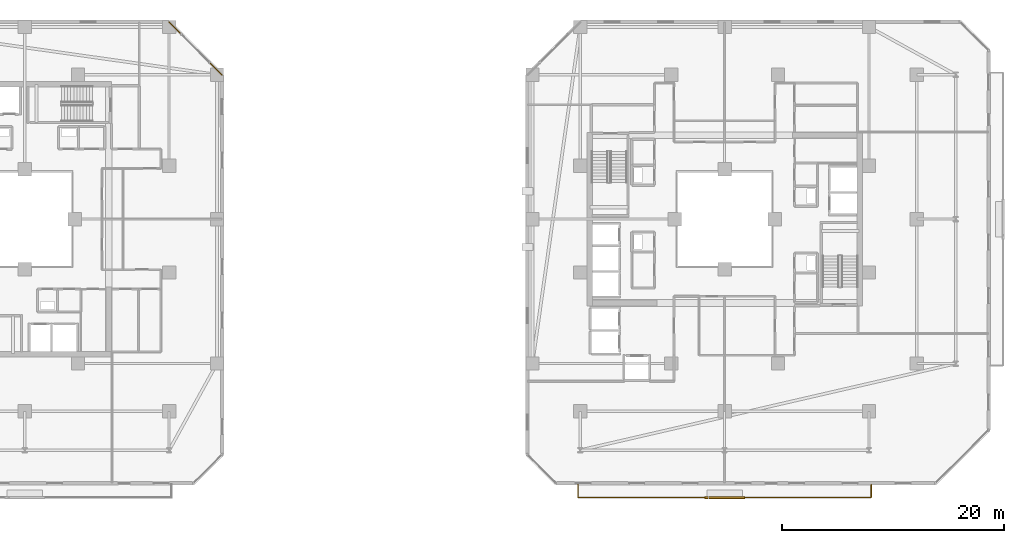
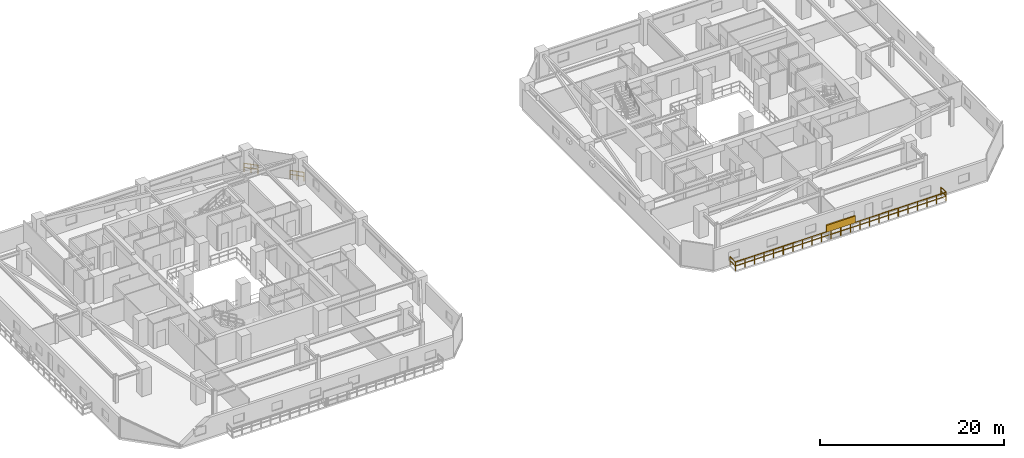
# One storey, part 32 of 34: 3 railings, 1 shading device.
"""IFC4 building model written with IfcOpenShell, lengths in metres."""

from ifc_helpers import new_model, si_unit, direction, frame, origin, origin_2d, place, context, subcontext, project, spatial, rectangle, extrude, material, type_object, element, save


model = new_model("IFC4")

# Units and contexts
model_context = context("Model", 3, precision=1e-05, world=origin(), true_north=direction((0.0, 1.0)))
body_context = subcontext(model_context, "Body", "Model", "MODEL_VIEW")
ifc_project = project(units=[si_unit("LENGTHUNIT", "METRE"), si_unit("AREAUNIT", "SQUARE_METRE"), si_unit("VOLUMEUNIT", "CUBIC_METRE"), si_unit("PLANEANGLEUNIT", "RADIAN"), si_unit("MASSUNIT", "GRAM", prefix="KILO")], contexts=[model_context])

# Site, building, storey
site_placement = place(None, origin())
site = spatial("IfcSite", under=ifc_project, at=site_placement, CompositionType="ELEMENT")
building_placement = place(site_placement, origin())
building = spatial("IfcBuilding", under=site, at=building_placement, Name="Thornwick Lancets Civic Towers", CompositionType="ELEMENT")
storey_placement = place(building_placement, frame((0.0, 0.0, 137.699951171875)))
storey = spatial("IfcBuildingStorey", under=building, at=storey_placement, Name="L36", CompositionType="ELEMENT", Elevation=137.699951171875)

# Railings
ifc_material_1 = material(Name="Terracotta-capped laminated glass balustrade S355", Category="masonry")
railing_type = type_object("IfcRailingType", Name="RAIL_TERR_GUARD", PredefinedType="GUARDRAIL", material=ifc_material_1)
for number, where, name in (
    (1, (43.25732421875, 39.97509765625, 0.0), "L36 Tower A Chamfer Spandrel Guard E3-1"),
    (2, (39.60009765625, 43.63232421875, 0.0), "L36 Tower A Chamfer Spandrel Guard E3-2"),
):
    element("IfcRailing", number, at=place(storey_placement, frame(where)), inside=storey, type_object=railing_type, Name=name, PredefinedType="GUARDRAIL", context=body_context, shape_type="SweptSolid", body=[
        extrude(rectangle(XDim=0.048095703125, YDim=0.048095703125, at=origin_2d()), frame((0.0, 0.0, 1.1259765625), z_axis=(-0.707106781187, 0.707106781187, 0.0), x_axis=(-0.707106781187, -0.707106781187, 0.0)), (0.0, 0.0, 1.0), 1.591064453125),
        extrude(rectangle(XDim=0.0419921875, YDim=0.0419921875, at=origin_2d()), frame((-0.026611328125, 0.026611328125, 0.597900390625), z_axis=(-0.707106781187, 0.707106781187, 0.0), x_axis=(-0.707106781187, -0.707106781187, 0.0)), (0.0, 0.0, 1.0), 0.720458984375),
        extrude(rectangle(XDim=0.0419921875, YDim=0.0419921875, at=origin_2d()), frame((-0.589111328125, 0.589111328125, 0.597900390625), z_axis=(-0.707106781187, 0.707106781187, 0.0), x_axis=(-0.707106781187, -0.707106781187, 0.0)), (0.0, 0.0, 1.0), 0.720458984375),
        extrude(rectangle(XDim=0.0419921875, YDim=0.0419921875, at=origin_2d()), origin(), (0.0, 0.0, 1.0), 1.095703125),
        extrude(rectangle(XDim=0.0419921875, YDim=0.0419921875, at=origin_2d()), frame((-0.5625, 0.5625, 0.0)), (0.0, 0.0, 1.0), 1.095703125),
        extrude(rectangle(XDim=0.0419921875, YDim=0.0419921875, at=origin_2d()), frame((-1.125, 1.125, 0.0)), (0.0, 0.0, 1.0), 1.095703125),
    ])
railing_placement = place(storey_placement, frame((75.300048828125, 3.10009765625, 0.0)))
element("IfcRailing", 3, at=railing_placement, inside=storey, type_object=railing_type, Name="L36 Tower B Balcony Guard S", PredefinedType="GUARDRAIL", context=body_context, shape_type="SweptSolid", body=[
    extrude(rectangle(XDim=0.048095703125, YDim=0.048095703125, at=origin_2d()), frame((0.0, 0.0, 1.1259765625), z_axis=(0.0, -1.0, 0.0), x_axis=(1.0, 0.0, 0.0)), (0.0, 0.0, 1.0), 1.138916015625),
    extrude(rectangle(XDim=0.0419921875, YDim=0.0419921875, at=origin_2d()), frame((0.0, -0.03759765625, 0.597900390625), z_axis=(0.0, -1.0, 0.0), x_axis=(1.0, 0.0, 0.0)), (0.0, 0.0, 1.0), 1.09521484375),
    extrude(rectangle(XDim=0.048095703125, YDim=0.048095703125, at=origin_2d()), frame((0.03125, -1.170166015625, 1.1259765625), z_axis=(1.0, 0.0, 0.0), x_axis=(0.0, 1.0, 0.0)), (0.0, 0.0, 1.0), 26.33740234375),
    extrude(rectangle(XDim=0.0419921875, YDim=0.0419921875, at=origin_2d()), frame((0.03759765625, -1.170166015625, 0.597900390625), z_axis=(1.0, 0.0, 0.0), x_axis=(0.0, 1.0, 0.0)), (0.0, 0.0, 1.0), 1.125),
    extrude(rectangle(XDim=0.0419921875, YDim=0.0419921875, at=origin_2d()), frame((1.237548828125, -1.170166015625, 0.597900390625), z_axis=(1.0, 0.0, 0.0), x_axis=(0.0, 1.0, 0.0)), (0.0, 0.0, 1.0), 1.125),
    extrude(rectangle(XDim=0.0419921875, YDim=0.0419921875, at=origin_2d()), frame((2.4375, -1.170166015625, 0.597900390625), z_axis=(1.0, 0.0, 0.0), x_axis=(0.0, 1.0, 0.0)), (0.0, 0.0, 1.0), 1.125),
    extrude(rectangle(XDim=0.0419921875, YDim=0.0419921875, at=origin_2d()), frame((3.637451171875, -1.170166015625, 0.597900390625), z_axis=(1.0, 0.0, 0.0), x_axis=(0.0, 1.0, 0.0)), (0.0, 0.0, 1.0), 1.125),
    extrude(rectangle(XDim=0.0419921875, YDim=0.0419921875, at=origin_2d()), frame((4.83740234375, -1.170166015625, 0.597900390625), z_axis=(1.0, 0.0, 0.0), x_axis=(0.0, 1.0, 0.0)), (0.0, 0.0, 1.0), 1.125),
    extrude(rectangle(XDim=0.0419921875, YDim=0.0419921875, at=origin_2d()), frame((6.037353515625, -1.170166015625, 0.597900390625), z_axis=(1.0, 0.0, 0.0), x_axis=(0.0, 1.0, 0.0)), (0.0, 0.0, 1.0), 1.125),
    extrude(rectangle(XDim=0.0419921875, YDim=0.0419921875, at=origin_2d()), frame((7.237548828125, -1.170166015625, 0.597900390625), z_axis=(1.0, 0.0, 0.0), x_axis=(0.0, 1.0, 0.0)), (0.0, 0.0, 1.0), 1.125),
    extrude(rectangle(XDim=0.0419921875, YDim=0.0419921875, at=origin_2d()), frame((8.4375, -1.170166015625, 0.597900390625), z_axis=(1.0, 0.0, 0.0), x_axis=(0.0, 1.0, 0.0)), (0.0, 0.0, 1.0), 1.125),
    extrude(rectangle(XDim=0.0419921875, YDim=0.0419921875, at=origin_2d()), frame((9.637451171875, -1.170166015625, 0.597900390625), z_axis=(1.0, 0.0, 0.0), x_axis=(0.0, 1.0, 0.0)), (0.0, 0.0, 1.0), 1.125),
    extrude(rectangle(XDim=0.0419921875, YDim=0.0419921875, at=origin_2d()), frame((10.83740234375, -1.170166015625, 0.597900390625), z_axis=(1.0, 0.0, 0.0), x_axis=(0.0, 1.0, 0.0)), (0.0, 0.0, 1.0), 1.125),
    extrude(rectangle(XDim=0.0419921875, YDim=0.0419921875, at=origin_2d()), frame((12.037353515625, -1.170166015625, 0.597900390625), z_axis=(1.0, 0.0, 0.0), x_axis=(0.0, 1.0, 0.0)), (0.0, 0.0, 1.0), 1.125),
    extrude(rectangle(XDim=0.0419921875, YDim=0.0419921875, at=origin_2d()), frame((13.237548828125, -1.170166015625, 0.597900390625), z_axis=(1.0, 0.0, 0.0), x_axis=(0.0, 1.0, 0.0)), (0.0, 0.0, 1.0), 1.125),
    extrude(rectangle(XDim=0.0419921875, YDim=0.0419921875, at=origin_2d()), frame((14.4375, -1.170166015625, 0.597900390625), z_axis=(1.0, 0.0, 0.0), x_axis=(0.0, 1.0, 0.0)), (0.0, 0.0, 1.0), 1.125),
    extrude(rectangle(XDim=0.0419921875, YDim=0.0419921875, at=origin_2d()), frame((15.637451171875, -1.170166015625, 0.597900390625), z_axis=(1.0, 0.0, 0.0), x_axis=(0.0, 1.0, 0.0)), (0.0, 0.0, 1.0), 1.125),
    extrude(rectangle(XDim=0.0419921875, YDim=0.0419921875, at=origin_2d()), frame((16.83740234375, -1.170166015625, 0.597900390625), z_axis=(1.0, 0.0, 0.0), x_axis=(0.0, 1.0, 0.0)), (0.0, 0.0, 1.0), 1.125),
    extrude(rectangle(XDim=0.0419921875, YDim=0.0419921875, at=origin_2d()), frame((18.037353515625, -1.170166015625, 0.597900390625), z_axis=(1.0, 0.0, 0.0), x_axis=(0.0, 1.0, 0.0)), (0.0, 0.0, 1.0), 1.125),
    extrude(rectangle(XDim=0.0419921875, YDim=0.0419921875, at=origin_2d()), frame((19.2373046875, -1.170166015625, 0.597900390625), z_axis=(1.0, 0.0, 0.0), x_axis=(0.0, 1.0, 0.0)), (0.0, 0.0, 1.0), 1.125),
    extrude(rectangle(XDim=0.0419921875, YDim=0.0419921875, at=origin_2d()), frame((20.4375, -1.170166015625, 0.597900390625), z_axis=(1.0, 0.0, 0.0), x_axis=(0.0, 1.0, 0.0)), (0.0, 0.0, 1.0), 1.125),
    extrude(rectangle(XDim=0.0419921875, YDim=0.0419921875, at=origin_2d()), frame((21.637451171875, -1.170166015625, 0.597900390625), z_axis=(1.0, 0.0, 0.0), x_axis=(0.0, 1.0, 0.0)), (0.0, 0.0, 1.0), 1.125),
    extrude(rectangle(XDim=0.0419921875, YDim=0.0419921875, at=origin_2d()), frame((22.83740234375, -1.170166015625, 0.597900390625), z_axis=(1.0, 0.0, 0.0), x_axis=(0.0, 1.0, 0.0)), (0.0, 0.0, 1.0), 1.125),
    extrude(rectangle(XDim=0.0419921875, YDim=0.0419921875, at=origin_2d()), frame((24.037353515625, -1.170166015625, 0.597900390625), z_axis=(1.0, 0.0, 0.0), x_axis=(0.0, 1.0, 0.0)), (0.0, 0.0, 1.0), 1.125),
    extrude(rectangle(XDim=0.0419921875, YDim=0.0419921875, at=origin_2d()), frame((25.2373046875, -1.170166015625, 0.597900390625), z_axis=(1.0, 0.0, 0.0), x_axis=(0.0, 1.0, 0.0)), (0.0, 0.0, 1.0), 1.125),
    extrude(rectangle(XDim=0.048095703125, YDim=0.048095703125, at=origin_2d()), frame((26.39990234375, -1.138916015625, 1.1259765625), z_axis=(0.0, 1.0, 0.0), x_axis=(-1.0, 0.0, 0.0)), (0.0, 0.0, 1.0), 1.138916015625),
    extrude(rectangle(XDim=0.0419921875, YDim=0.0419921875, at=origin_2d()), frame((26.39990234375, -1.132568359375, 0.597900390625), z_axis=(0.0, 1.0, 0.0), x_axis=(-1.0, 0.0, 0.0)), (0.0, 0.0, 1.0), 1.09521484375),
    extrude(rectangle(XDim=0.0419921875, YDim=0.0419921875, at=origin_2d()), origin(), (0.0, 0.0, 1.0), 1.095703125),
    extrude(rectangle(XDim=0.0419921875, YDim=0.0419921875, at=origin_2d()), frame((0.0, -1.170166015625, 0.0)), (0.0, 0.0, 1.0), 1.095703125),
    extrude(rectangle(XDim=0.0419921875, YDim=0.0419921875, at=origin_2d()), frame((1.199951171875, -1.170166015625, 0.0)), (0.0, 0.0, 1.0), 1.095703125),
    extrude(rectangle(XDim=0.0419921875, YDim=0.0419921875, at=origin_2d()), frame((2.39990234375, -1.170166015625, 0.0)), (0.0, 0.0, 1.0), 1.095703125),
    extrude(rectangle(XDim=0.0419921875, YDim=0.0419921875, at=origin_2d()), frame((3.60009765625, -1.170166015625, 0.0)), (0.0, 0.0, 1.0), 1.095703125),
    extrude(rectangle(XDim=0.0419921875, YDim=0.0419921875, at=origin_2d()), frame((4.800048828125, -1.170166015625, 0.0)), (0.0, 0.0, 1.0), 1.095703125),
    extrude(rectangle(XDim=0.0419921875, YDim=0.0419921875, at=origin_2d()), frame((6.0, -1.170166015625, 0.0)), (0.0, 0.0, 1.0), 1.095703125),
    extrude(rectangle(XDim=0.0419921875, YDim=0.0419921875, at=origin_2d()), frame((7.199951171875, -1.170166015625, 0.0)), (0.0, 0.0, 1.0), 1.095703125),
    extrude(rectangle(XDim=0.0419921875, YDim=0.0419921875, at=origin_2d()), frame((8.39990234375, -1.170166015625, 0.0)), (0.0, 0.0, 1.0), 1.095703125),
    extrude(rectangle(XDim=0.0419921875, YDim=0.0419921875, at=origin_2d()), frame((9.599853515625, -1.170166015625, 0.0)), (0.0, 0.0, 1.0), 1.095703125),
    extrude(rectangle(XDim=0.0419921875, YDim=0.0419921875, at=origin_2d()), frame((10.800048828125, -1.170166015625, 0.0)), (0.0, 0.0, 1.0), 1.095703125),
    extrude(rectangle(XDim=0.0419921875, YDim=0.0419921875, at=origin_2d()), frame((12.0, -1.170166015625, 0.0)), (0.0, 0.0, 1.0), 1.095703125),
    extrude(rectangle(XDim=0.0419921875, YDim=0.0419921875, at=origin_2d()), frame((13.199951171875, -1.170166015625, 0.0)), (0.0, 0.0, 1.0), 1.095703125),
    extrude(rectangle(XDim=0.0419921875, YDim=0.0419921875, at=origin_2d()), frame((14.39990234375, -1.170166015625, 0.0)), (0.0, 0.0, 1.0), 1.095703125),
    extrude(rectangle(XDim=0.0419921875, YDim=0.0419921875, at=origin_2d()), frame((15.599853515625, -1.170166015625, 0.0)), (0.0, 0.0, 1.0), 1.095703125),
    extrude(rectangle(XDim=0.0419921875, YDim=0.0419921875, at=origin_2d()), frame((16.800048828125, -1.170166015625, 0.0)), (0.0, 0.0, 1.0), 1.095703125),
    extrude(rectangle(XDim=0.0419921875, YDim=0.0419921875, at=origin_2d()), frame((18.0, -1.170166015625, 0.0)), (0.0, 0.0, 1.0), 1.095703125),
    extrude(rectangle(XDim=0.0419921875, YDim=0.0419921875, at=origin_2d()), frame((19.199951171875, -1.170166015625, 0.0)), (0.0, 0.0, 1.0), 1.095703125),
    extrude(rectangle(XDim=0.0419921875, YDim=0.0419921875, at=origin_2d()), frame((20.39990234375, -1.170166015625, 0.0)), (0.0, 0.0, 1.0), 1.095703125),
    extrude(rectangle(XDim=0.0419921875, YDim=0.0419921875, at=origin_2d()), frame((21.599853515625, -1.170166015625, 0.0)), (0.0, 0.0, 1.0), 1.095703125),
    extrude(rectangle(XDim=0.0419921875, YDim=0.0419921875, at=origin_2d()), frame((22.7998046875, -1.170166015625, 0.0)), (0.0, 0.0, 1.0), 1.095703125),
    extrude(rectangle(XDim=0.0419921875, YDim=0.0419921875, at=origin_2d()), frame((24.0, -1.170166015625, 0.0)), (0.0, 0.0, 1.0), 1.095703125),
    extrude(rectangle(XDim=0.0419921875, YDim=0.0419921875, at=origin_2d()), frame((25.199951171875, -1.170166015625, 0.0)), (0.0, 0.0, 1.0), 1.095703125),
    extrude(rectangle(XDim=0.0419921875, YDim=0.0419921875, at=origin_2d()), frame((26.39990234375, -1.170166015625, 0.0)), (0.0, 0.0, 1.0), 1.095703125),
    extrude(rectangle(XDim=0.0419921875, YDim=0.0419921875, at=origin_2d()), frame((26.39990234375, 0.0, 0.0)), (0.0, 0.0, 1.0), 1.095703125),
])

# Shading device
ifc_material_2 = material(Name="Extruded terracotta baguette solar screen", Category="masonry")
shading_device_type = type_object("IfcShadingDeviceType", Name="SHADE_BAGUETTE", PredefinedType="JALOUSIE", material=ifc_material_2)
shading_device_placement = place(storey_placement, frame((88.5, 1.93994140625, 1.1201171875), z_axis=(0.0, 0.0, 1.0), x_axis=(1.0, 0.0, 0.0)))
element("IfcShadingDevice", 4, at=shading_device_placement, inside=storey, type_object=shading_device_type, Name="L36 Tower B Terracotta Baguette Screen S", PredefinedType="JALOUSIE", context=body_context, shape_type="SweptSolid", body=[
    extrude(rectangle(XDim=3.60009765625, YDim=0.179931640625, at=origin_2d()), origin(), (0.0, 0.0, 1.0), 0.89990234375),
])

save(model, "model.ifc")
